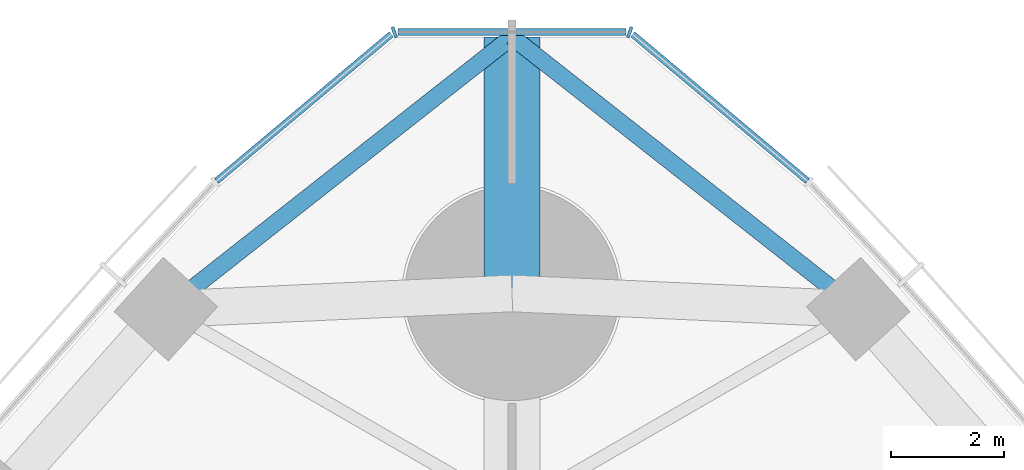
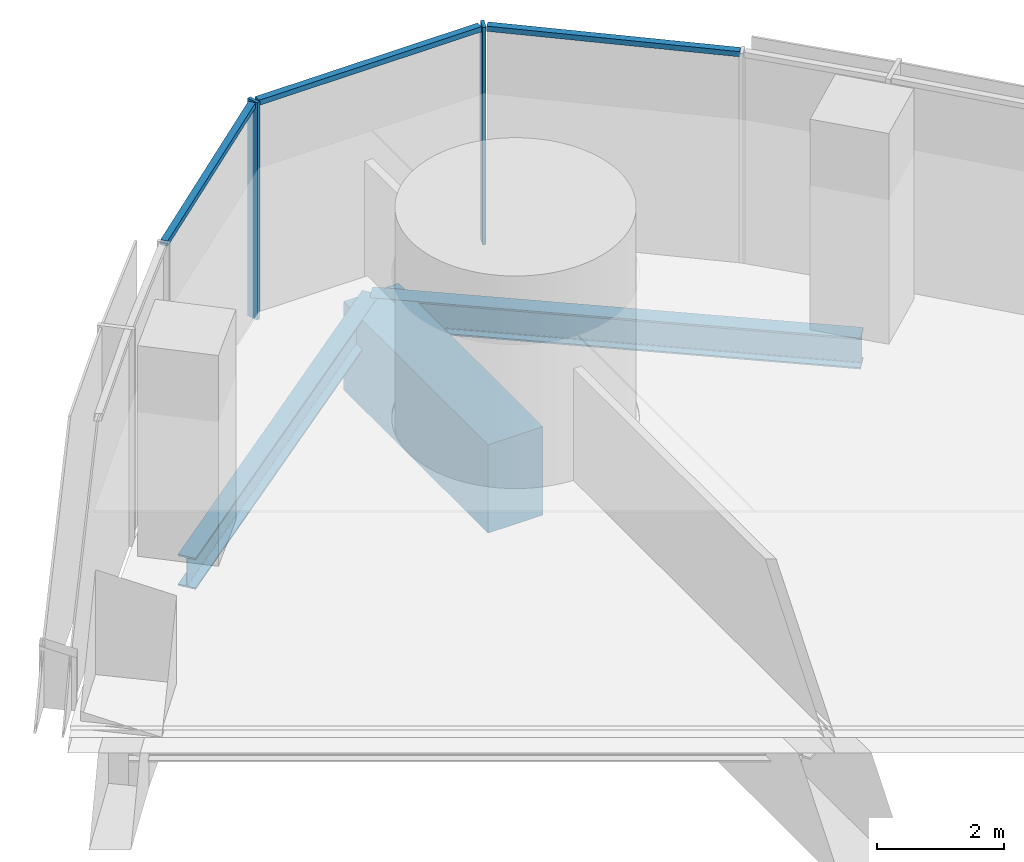
# One storey, part 9 of 19: 5 members, 3 beams, 1 element without a shape of its own.
"""IFC4 building model written with IfcOpenShell, lengths in metres."""

import ifcopenshell
import ifcopenshell.guid

model = None  # the IFC model being written
_history = None  # IfcOwnerHistory: only IFC2X3 demands one
_inside = {}  # id of a spatial element -> (the spatial element, [elements in it])
_under = {}  # id of a project, library or spatial element -> (it, [spatial elements below it])
_declared = {}  # id of a project -> (the project, [libraries it declares])
_typed = {}  # id of a type object -> (the type object, [elements of that type])
_made_of = {}  # id of a material, layer set ... -> (it, [elements and type objects made of it])


def new_model(schema):
    """Start an empty IFC model of exactly this schema.

    Asked for "IFC4X3", IfcOpenShell would pick the latest addendum, in which some entities
    have other attributes; the version numbers below select the first issue.
    IFC2X3 requires an IfcOwnerHistory on every rooted entity: one is made here for all.
    """
    global model, _history
    if schema == "IFC4X3":
        model = ifcopenshell.file(schema_version=(4, 3, 0, 0))
    else:
        model = ifcopenshell.file(schema=schema)
    _inside.clear()
    _under.clear()
    _declared.clear()
    _typed.clear()
    _made_of.clear()
    _history = None
    if model.schema == "IFC2X3":
        org = make("IfcOrganization", Name="unknown")
        user = make(
            "IfcPersonAndOrganization",
            ThePerson=make("IfcPerson", FamilyName="unknown"),
            TheOrganization=org,
        )
        app = make(
            "IfcApplication",
            ApplicationDeveloper=org,
            Version="unknown",
            ApplicationFullName="unknown",
            ApplicationIdentifier="unknown",
        )
        _history = make(
            "IfcOwnerHistory",
            OwningUser=user,
            OwningApplication=app,
            ChangeAction="ADDED",
            CreationDate=0,
        )
    return model


def make(cls, **values):
    """One entity of the class cls with the attributes given. An attribute that is None is left unset."""
    return model.create_entity(
        cls, **{name: value for name, value in values.items() if value is not None}
    )


def rooted(cls, **values):
    """An entity with a GlobalId (a new one), such as an element, a storey or a relation."""
    return make(cls, GlobalId=ifcopenshell.guid.new(), OwnerHistory=_history, **values)


def si_unit(unit_type, name, prefix=None):
    """IfcSIUnit, for example si_unit("LENGTHUNIT", "METRE", prefix="MILLI")."""
    return make("IfcSIUnit", UnitType=unit_type, Prefix=prefix, Name=name)


def assignment(units):
    """IfcUnitAssignment: the units of a project."""
    return None if units is None else make("IfcUnitAssignment", Units=units)


def point(xyz):
    """IfcCartesianPoint."""
    return None if xyz is None else make("IfcCartesianPoint", Coordinates=xyz)


def direction(xyz):
    """IfcDirection."""
    return None if xyz is None else make("IfcDirection", DirectionRatios=xyz)


def frame(location, z_axis=None, x_axis=None):
    """IfcAxis2Placement3D, a coordinate frame: its origin and axes. An axis left out is left unset."""
    return make(
        "IfcAxis2Placement3D",
        Location=point(location),
        Axis=direction(z_axis),
        RefDirection=direction(x_axis),
    )


def frame_2d(location, x_axis=None):
    """IfcAxis2Placement2D, a coordinate frame in the plane: its origin and x axis."""
    return make(
        "IfcAxis2Placement2D", Location=point(location), RefDirection=direction(x_axis)
    )


def origin():
    """The frame at (0, 0, 0) with its axes left unset."""
    return frame((0.0, 0.0, 0.0))


def origin_2d():
    """The frame at (0, 0) in the plane with its x axis left unset."""
    return frame_2d((0.0, 0.0))


def place(relative_to, where):
    """IfcLocalPlacement: puts the frame where relative to a parent placement (None: the world)."""
    return make(
        "IfcLocalPlacement", PlacementRelTo=relative_to, RelativePlacement=where
    )


def context(
    kind, dimensions, precision=None, world=None, true_north=None, identifier=None
):
    """IfcGeometricRepresentationContext, for example the 3D "Model" context."""
    return make(
        "IfcGeometricRepresentationContext",
        ContextIdentifier=identifier,
        ContextType=kind,
        CoordinateSpaceDimension=dimensions,
        Precision=precision,
        WorldCoordinateSystem=world,
        TrueNorth=true_north,
    )


def subcontext(parent, identifier, kind, view, scale=None):
    """IfcGeometricRepresentationSubContext, for example "Body" below "Model"."""
    return make(
        "IfcGeometricRepresentationSubContext",
        ContextIdentifier=identifier,
        ContextType=kind,
        ParentContext=parent,
        TargetScale=scale,
        TargetView=view,
    )


def project(units=None, contexts=None):
    """IfcProject with its units and contexts."""
    return rooted(
        "IfcProject",
        Name="project",
        RepresentationContexts=contexts,
        UnitsInContext=assignment(units),
    )


def spatial(cls, under=None, at=None, **own):
    """A site, building, storey or space (cls), placed at a placement, below another one or the project."""
    s = rooted(cls, ObjectPlacement=at, **own)
    if under is not None:
        _under.setdefault(under.id(), (under, []))[1].append(s)
    return s


def profile(cls, at=None, kind="AREA", **sizes):
    """A parametric profile (cls). Its sizes go by their IFC names, for example OverallWidth=200.0."""
    return make(cls, ProfileType=kind, Position=at, **sizes)


def rectangle(**sizes):
    """IfcRectangleProfileDef."""
    return profile("IfcRectangleProfileDef", **sizes)


def i_section(**sizes):
    """IfcIShapeProfileDef."""
    return profile("IfcIShapeProfileDef", **sizes)


def extrude(swept, where, along, depth):
    """IfcExtrudedAreaSolid: the profile swept, set in the frame where, extruded along a direction by depth."""
    return make(
        "IfcExtrudedAreaSolid",
        SweptArea=swept,
        Position=where,
        ExtrudedDirection=direction(along),
        Depth=depth,
    )


def shape(context_of_items, identifier, shape_type, items):
    """IfcShapeRepresentation: the items that make up one representation, for example the "Body"."""
    return make(
        "IfcShapeRepresentation",
        ContextOfItems=context_of_items,
        RepresentationIdentifier=identifier,
        RepresentationType=shape_type,
        Items=items,
    )


def material(Name=None, Category=None):
    """IfcMaterial."""
    return make("IfcMaterial", Name=Name, Category=Category)


def material_profile(
    of_material, cross_section, Name=None, Category=None, Priority=None
):
    """IfcMaterialProfile: a cross section and its material."""
    return make(
        "IfcMaterialProfile",
        Name=Name,
        Material=of_material,
        Profile=cross_section,
        Priority=Priority,
        Category=Category,
    )


def profile_set(profiles, Name=None, composite=None):
    """IfcMaterialProfileSet."""
    return make(
        "IfcMaterialProfileSet",
        Name=Name,
        MaterialProfiles=profiles,
        CompositeProfile=composite,
    )


def made_of(thing, what):
    """Note that an element or type object is made of a material, layer set ...; save() writes the relation."""
    if what is not None:
        _made_of.setdefault(what.id(), (what, []))[1].append(thing)
    return thing


def type_object(cls, material=None, **own):
    """A type object (cls), such as IfcWallType, which elements share."""
    return made_of(rooted(cls, **own), material)


def element(
    cls,
    number,
    at=None,
    inside=None,
    cuts=None,
    type_object=None,
    material=None,
    context=None,
    identifier="Body",
    shape_type=None,
    held_by="IfcProductDefinitionShape",
    body=None,
    shapes=None,
    **own,
):
    """One element of the class cls, such as IfcWall. Its Tag is "e" and its number.

    at: its placement. inside: the storey or other place that contains it. cuts: it is an
    opening in that element (IfcRelVoidsElement). A single representation is given by context,
    identifier, shape_type and body (its items); several are given by shapes. held_by: the class
    of the entity that holds the representations. save() writes the other relations.
    """
    e = rooted(cls, Tag="e%d" % number, ObjectPlacement=at, **own)
    if body is not None:
        shapes = [shape(context, identifier, shape_type, body)]
    if shapes is not None:
        e.Representation = make(held_by, Representations=shapes)
    if inside is not None:
        _inside.setdefault(inside.id(), (inside, []))[1].append(e)
    if cuts is not None:
        rooted(
            "IfcRelVoidsElement", RelatingBuildingElement=cuts, RelatedOpeningElement=e
        )
    if type_object is not None:
        _typed.setdefault(type_object.id(), (type_object, []))[1].append(e)
    return made_of(e, material)


def aggregate(whole, parts):
    """IfcRelAggregates: a whole, such as a stair, and the parts it consists of."""
    return rooted("IfcRelAggregates", RelatingObject=whole, RelatedObjects=parts)


def save(model, path):
    """Write the relations noted so far, then the file.

    IfcRelAggregates (storeys below a building ...), IfcRelContainedInSpatialStructure (elements
    in a storey), IfcRelDefinesByType, IfcRelAssociatesMaterial and IfcRelDeclares: one each for
    every whole, place, type object, material and project.
    """
    for whole, parts in _under.values():
        aggregate(whole, parts)
    for where, things in _inside.values():
        rooted(
            "IfcRelContainedInSpatialStructure",
            RelatedElements=things,
            RelatingStructure=where,
        )
    for kind, things in _typed.values():
        rooted("IfcRelDefinesByType", RelatedObjects=things, RelatingType=kind)
    for what, things in _made_of.values():
        rooted("IfcRelAssociatesMaterial", RelatedObjects=things, RelatingMaterial=what)
    for by, libraries in _declared.values():
        rooted("IfcRelDeclares", RelatingContext=by, RelatedDefinitions=libraries)
    model.write(path)


model = new_model("IFC4")

# Units and contexts
model_context = context("Model", 3, precision=1e-05, world=origin(), true_north=direction((0.0, 1.0)))
body_context = subcontext(model_context, "Body", "Model", "MODEL_VIEW")
ifc_project = project(units=[si_unit("LENGTHUNIT", "METRE"), si_unit("AREAUNIT", "SQUARE_METRE"), si_unit("VOLUMEUNIT", "CUBIC_METRE"), si_unit("PLANEANGLEUNIT", "RADIAN"), si_unit("MASSUNIT", "GRAM", prefix="KILO")], contexts=[model_context])

# Site, building, storey
site_placement = place(None, origin())
site = spatial("IfcSite", under=ifc_project, at=site_placement, CompositionType="ELEMENT")
building_placement = place(site_placement, origin())
building = spatial("IfcBuilding", under=site, at=building_placement, Name="Trefoil Bronze Tower", CompositionType="ELEMENT")
storey_placement = place(building_placement, frame((0.0, 0.0, 124.10009765625)))
storey = spatial("IfcBuildingStorey", under=building, at=storey_placement, Name="L28", CompositionType="ELEMENT", Elevation=124.10009765625)

# Curtain wall, members
ifc_material_1 = material(Name="Tinted solar-control glass", Category="glass")
curtain_wall_type = type_object("IfcCurtainWallType", Name="Bronze rounded corner curtain wall", PredefinedType="USERDEFINED", material=ifc_material_1)
curtain_wall_placement = place(storey_placement, origin())
curtain_wall = element("IfcCurtainWall", 1, at=curtain_wall_placement, inside=storey, type_object=curtain_wall_type, Name="CW-B L28 K2", ObjectType="CURTAIN WALL", PredefinedType="USERDEFINED")
ifc_material_2 = material(Name="Bronze-finish aluminium", Category="aluminium")
ifc_material_profile_1 = material_profile(ifc_material_2, rectangle(XDim=0.199951171875, YDim=0.06005859375, at=origin_2d()), Name="CW-B mullion")
ifc_profile_set_1 = profile_set([ifc_material_profile_1], Name="Bronze-finish aluminium")
member_type_1 = type_object("IfcMemberType", Name="Bronze rounded corner curtain wall mullion", PredefinedType="MULLION", material=ifc_profile_set_1)
member_1_placement = place(storey_placement, frame((2.08642578125, 39.631591796875, 0.0), z_axis=(0.0, 0.0, 1.0), x_axis=(-0.342020143326, -0.939692620786, 0.0)))
member_1 = element("IfcMember", 2, at=member_1_placement, type_object=member_type_1, Name="CW-B L28 K2 mullion 2", PredefinedType="MULLION", context=body_context, shape_type="SweptSolid", body=[
    extrude(rectangle(XDim=0.199951171875, YDim=0.06005859375, at=origin_2d()), origin(), (0.0, 0.0, 1.0), 4.179931640625),
])
member_2_placement = place(storey_placement, frame((-2.08642578125, 39.631591796875, 0.0), z_axis=(0.0, 0.0, 1.0), x_axis=(0.342020143326, -0.939692620786, 0.0)))
member_2 = element("IfcMember", 3, at=member_2_placement, type_object=member_type_1, Name="CW-B L28 K2 mullion 3", PredefinedType="MULLION", context=body_context, shape_type="SweptSolid", body=[
    extrude(rectangle(XDim=0.199951171875, YDim=0.06005859375, at=origin_2d()), origin(), (0.0, 0.0, 1.0), 4.179931640625),
])
ifc_material_3 = material(Name="Bronze-finish aluminium", Category="aluminium")
ifc_material_profile_2 = material_profile(ifc_material_3, rectangle(XDim=0.1201171875, YDim=0.10009765625, at=origin_2d()), Name="CW-B transom")
ifc_profile_set_2 = profile_set([ifc_material_profile_2], Name="Bronze-finish aluminium")
member_type_2 = type_object("IfcMemberType", Name="Bronze rounded corner curtain wall transom", PredefinedType="USERDEFINED", material=ifc_profile_set_2)
member_3_placement = place(storey_placement, frame((5.237548828125, 36.9951171875, 4.1298828125), z_axis=(-0.766049624684, 0.642781434487, 0.0), x_axis=(-0.642781434487, -0.766049624684, 0.0)))
member_3 = element("IfcMember", 4, at=member_3_placement, type_object=member_type_2, Name="CW-B L28 K2 transom 1", ObjectType="TRANSOM", PredefinedType="USERDEFINED", context=body_context, shape_type="SweptSolid", body=[
    extrude(rectangle(XDim=0.1201171875, YDim=0.10009765625, at=origin_2d()), origin(), (0.0, 0.0, 1.0), 4.04443359375),
])
member_4_placement = place(storey_placement, frame((2.022216796875, 39.637451171875, 4.1298828125), z_axis=(-1.0, 0.0, 0.0), x_axis=(0.0, -1.0, 0.0)))
member_4 = element("IfcMember", 5, at=member_4_placement, type_object=member_type_2, Name="CW-B L28 K2 transom 2", ObjectType="TRANSOM", PredefinedType="USERDEFINED", context=body_context, shape_type="SweptSolid", body=[
    extrude(rectangle(XDim=0.1201171875, YDim=0.10009765625, at=origin_2d()), origin(), (0.0, 0.0, 1.0), 4.04443359375),
])
member_5_placement = place(storey_placement, frame((-2.139404296875, 39.5947265625, 4.1298828125), z_axis=(-0.766049624684, -0.642781434487, 0.0), x_axis=(0.642781434487, -0.766049624684, 0.0)))
member_5 = element("IfcMember", 6, at=member_5_placement, type_object=member_type_2, Name="CW-B L28 K2 transom 3", ObjectType="TRANSOM", PredefinedType="USERDEFINED", context=body_context, shape_type="SweptSolid", body=[
    extrude(rectangle(XDim=0.1201171875, YDim=0.10009765625, at=origin_2d()), origin(), (0.0, 0.0, 1.0), 4.04443359375),
])
aggregate(curtain_wall, [member_1, member_2, member_3, member_4, member_5])

# Beams
ifc_material_4 = material(Name="Concrete B80", Category="concrete")
ifc_material_profile_3 = material_profile(ifc_material_4, rectangle(XDim=1.0, YDim=1.699951171875, at=origin_2d()), Name="RC 1000x1700")
ifc_profile_set_3 = profile_set([ifc_material_profile_3], Name="Concrete B80")
beam_type_1 = type_object("IfcBeamType", Name="Corner cantilever RC 1000x1700", PredefinedType="BEAM", material=ifc_profile_set_3)
beam_placement = place(storey_placement, frame((0.0, 35.0, -1.050048828125), z_axis=(0.0, 1.0, 0.0), x_axis=(-1.0, 0.0, 0.0)))
element("IfcBeam", 7, at=beam_placement, inside=storey, type_object=beam_type_1, Name="Corner cantilever K2 L28", PredefinedType="BEAM", context=body_context, shape_type="SweptSolid", body=[
    extrude(rectangle(XDim=1.0, YDim=1.699951171875, at=origin_2d()), origin(), (0.0, 0.0, 1.0), 4.54931640625),
])
ifc_material_5 = material(Name="Steel C355", Category="steel")
ifc_material_profile_4 = material_profile(ifc_material_5, i_section(OverallWidth=0.300048828125, OverallDepth=0.60009765625, WebThickness=0.015380859375, FlangeThickness=0.030029296875, FilletRadius=0.027099609375, at=origin_2d()), Name="HEB 600")
ifc_profile_set_4 = profile_set([ifc_material_profile_4], Name="Steel C355")
beam_type_2 = type_object("IfcBeamType", Name="Corner edge beam HEB 600", PredefinedType="BEAM", material=ifc_profile_set_4)
for number, where, z_axis, x_axis, name in (
    (8, (6.13916015625, 34.72119140625, -0.5), (-0.786038406433, 0.61817766347, 0.0), (-0.61817766347, -0.786038406433, 0.0), "Corner edge beam F2A L28"),
    (9, (-6.13916015625, 34.72119140625, -0.5), (0.786038406433, 0.61817766347, 0.0), (-0.61817766347, 0.786038406433, 0.0), "Corner edge beam F3B L28"),
):
    element("IfcBeam", number, at=place(storey_placement, frame(where, z_axis=z_axis, x_axis=x_axis)), inside=storey, type_object=beam_type_2, Name=name, PredefinedType="BEAM", context=body_context, shape_type="SweptSolid", body=[
        extrude(i_section(OverallWidth=0.300048828125, OverallDepth=0.60009765625, WebThickness=0.015380859375, FlangeThickness=0.030029296875, FilletRadius=0.027099609375, at=origin_2d()), origin(), (0.0, 0.0, 1.0), 7.810302734375),
    ])

save(model, "model.ifc")
